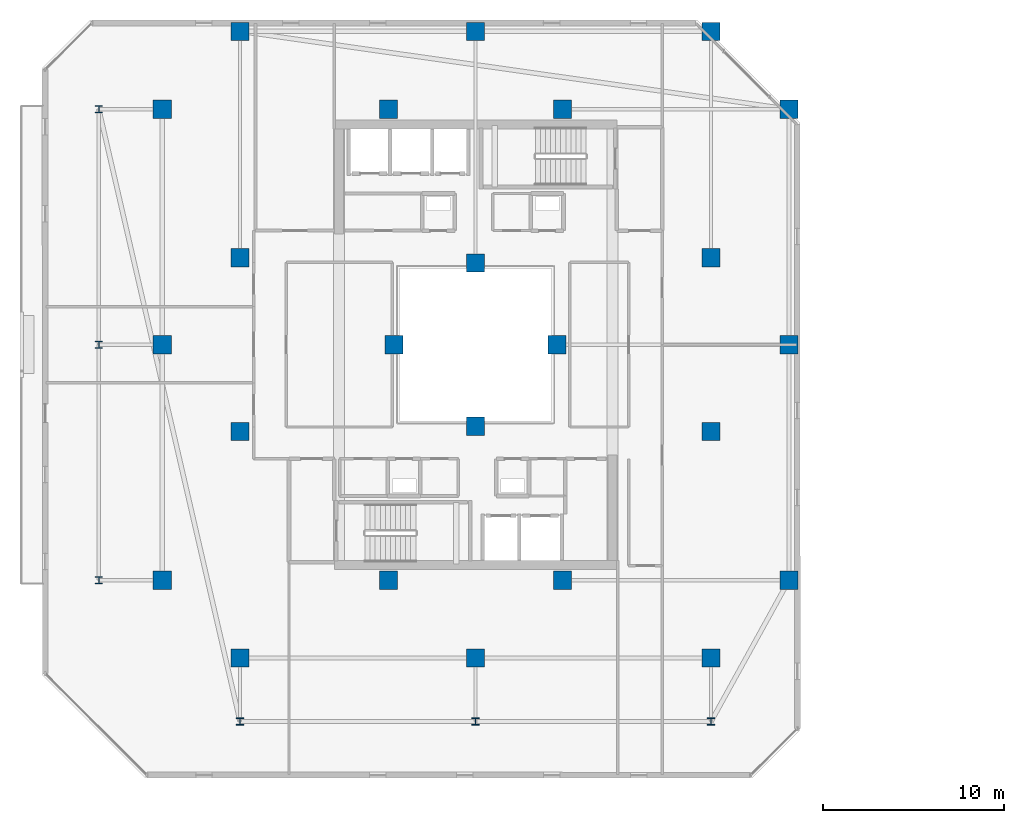
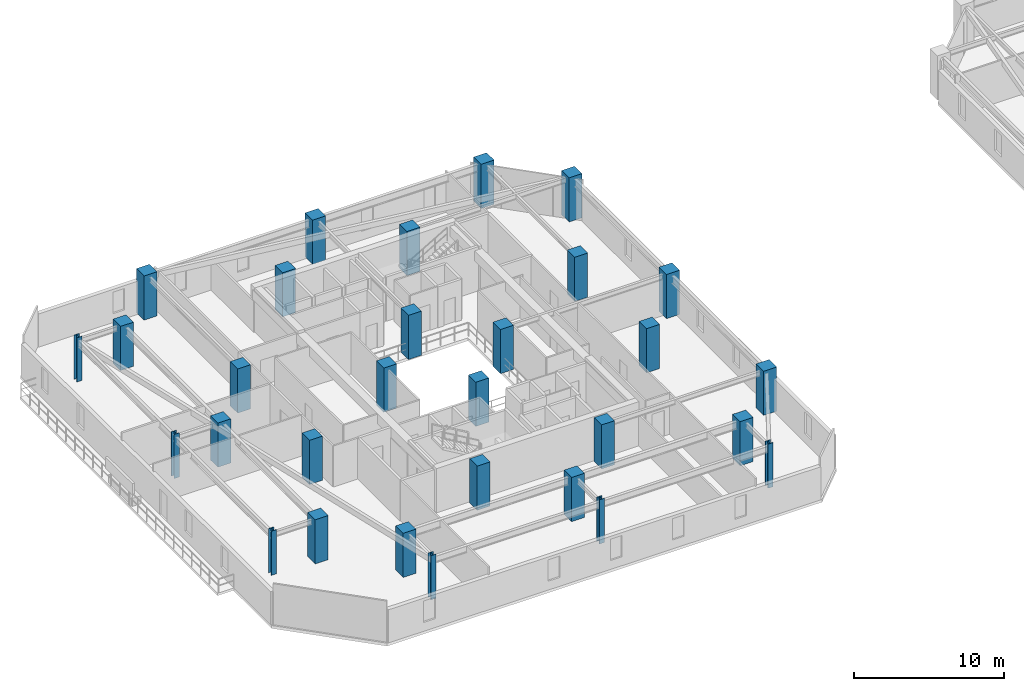
# One storey, part 1 of 31: 30 columns.
"""IFC4 building model written with IfcOpenShell, lengths in metres."""

from ifc_helpers import new_model, si_unit, direction, frame, origin, origin_2d, place, context, subcontext, project, spatial, rectangle, i_section, extrude, material, material_profile, profile_set, type_object, element, save


model = new_model("IFC4")

# Units and contexts
model_context = context("Model", 3, precision=1e-05, world=origin(), true_north=direction((0.0, 1.0)))
body_context = subcontext(model_context, "Body", "Model", "MODEL_VIEW")
ifc_project = project(units=[si_unit("LENGTHUNIT", "METRE"), si_unit("AREAUNIT", "SQUARE_METRE"), si_unit("VOLUMEUNIT", "CUBIC_METRE"), si_unit("PLANEANGLEUNIT", "RADIAN"), si_unit("MASSUNIT", "GRAM", prefix="KILO")], contexts=[model_context])

# Site, building, storey
site_placement = place(None, origin())
site = spatial("IfcSite", under=ifc_project, at=site_placement, CompositionType="ELEMENT")
building_placement = place(site_placement, origin())
building = spatial("IfcBuilding", under=site, at=building_placement, Name="Thornwick Lancets Civic Towers", CompositionType="ELEMENT")
storey_placement = place(building_placement, frame((0.0, 0.0, 236.699951171875)))
storey = spatial("IfcBuildingStorey", under=building, at=storey_placement, Name="L63", CompositionType="ELEMENT", Elevation=236.699951171875)

# Columns
ifc_material_1 = material(Name="Concrete C50/60", Category="concrete")
ifc_material_profile_1 = material_profile(ifc_material_1, rectangle(XDim=1.0, YDim=1.0, at=origin_2d()), Name="RC 1000x1000")
ifc_profile_set_1 = profile_set([ifc_material_profile_1], Name="Concrete C50/60")
column_type_1 = type_object("IfcColumnType", Name="COL_RC_1000", PredefinedType="COLUMN", material=ifc_profile_set_1)
for number, where, z_axis, x_axis, name in (
    (1, (12.5, 9.699951171875, 0.0), (0.0, 0.0, 1.0), (1.0, 0.0, 0.0), "L63 Spine Mega-Column A01"),
    (2, (25.5, 9.699951171875, 0.0), (0.0, 0.0, 1.0), (1.0, 0.0, 0.0), "L63 Spine Mega-Column A02"),
    (3, (38.5, 9.699951171875, 0.0), (0.0, 0.0, 1.0), (1.0, 0.0, 0.0), "L63 Spine Mega-Column A03"),
    (4, (42.800048828125, 14.0, 0.0), (0.0, 0.0, 1.0), (1.0, 0.0, 0.0), "L63 Spine Mega-Column A04"),
    (5, (42.800048828125, 27.0, 0.0), (0.0, 0.0, 1.0), (1.0, 0.0, 0.0), "L63 Spine Mega-Column A05"),
    (6, (42.800048828125, 40.0, 0.0), (0.0, 0.0, 1.0), (1.0, 0.0, 0.0), "L63 Spine Mega-Column A06"),
    (7, (12.5, 44.300048828125, 0.0), (0.0, 0.0, 1.0), (1.0, 0.0, 0.0), "L63 Spine Mega-Column A07"),
    (8, (25.5, 44.300048828125, 0.0), (0.0, 0.0, 1.0), (1.0, 0.0, 0.0), "L63 Spine Mega-Column A08"),
    (9, (38.5, 44.300048828125, 0.0), (0.0, 0.0, 1.0), (1.0, 0.0, 0.0), "L63 Spine Mega-Column A09"),
    (10, (8.199951171875, 14.0, 0.0), (0.0, 0.0, 1.0), (1.0, 0.0, 0.0), "L63 Spine Mega-Column A10"),
    (11, (8.199951171875, 27.0, 0.0), (0.0, 0.0, 1.0), (1.0, 0.0, 0.0), "L63 Spine Mega-Column A11"),
    (12, (8.199951171875, 40.0, 0.0), (0.0, 0.0, 1.0), (1.0, 0.0, 0.0), "L63 Spine Mega-Column A12"),
    (13, (12.5, 22.199951171875, 0.0), (0.0, 0.0, 1.0), (1.0, 0.0, 0.0), "L63 Spine Mega-Column A13"),
    (14, (38.5, 22.199951171875, 0.0), (0.0, 0.0, 1.0), (1.0, 0.0, 0.0), "L63 Spine Mega-Column A14"),
    (15, (12.5, 31.800048828125, 0.0), (0.0, 0.0, 1.0), (1.0, 0.0, 0.0), "L63 Spine Mega-Column A15"),
    (16, (38.5, 31.800048828125, 0.0), (0.0, 0.0, 1.0), (1.0, 0.0, 0.0), "L63 Spine Mega-Column A16"),
    (17, (20.699951171875, 14.0, 0.0), (0.0, 0.0, 1.0), (1.0, 0.0, 0.0), "L63 Spine Mega-Column A17"),
    (18, (30.300048828125, 14.0, 0.0), (0.0, 0.0, 1.0), (1.0, 0.0, 0.0), "L63 Spine Mega-Column A18"),
    (19, (20.699951171875, 40.0, 0.0), (0.0, 0.0, 1.0), (1.0, 0.0, 0.0), "L63 Spine Mega-Column A19"),
    (20, (30.300048828125, 40.0, 0.0), (0.0, 0.0, 1.0), (1.0, 0.0, 0.0), "L63 Spine Mega-Column A20"),
    (21, (25.5, 22.5, 0.0), (0.0, 0.0, 1.0), (1.0, 0.0, 0.0), "L63 Spine Mega-Column A21"),
    (22, (25.5, 31.5, 0.0), (0.0, 0.0, 1.0), (1.0, 0.0, 0.0), "L63 Spine Mega-Column A22"),
    (23, (21.0, 27.0, 0.0), (0.0, 0.0, 1.0), (1.0, 0.0, 0.0), "L63 Spine Mega-Column A23"),
    (24, (30.0, 27.0, 0.0), (0.0, 0.0, 1.0), (1.0, 0.0, 0.0), "L63 Spine Mega-Column A24"),
):
    element("IfcColumn", number, at=place(storey_placement, frame(where, z_axis=z_axis, x_axis=x_axis)), inside=storey, type_object=column_type_1, Name=name, PredefinedType="COLUMN", context=body_context, shape_type="SweptSolid", body=[
        extrude(rectangle(XDim=1.0, YDim=1.0, at=origin_2d()), origin(), (0.0, 0.0, 1.0), 3.60009765625),
    ])
ifc_material_2 = material(Name="Steel S355JR", Category="steel")
ifc_material_profile_2 = material_profile(ifc_material_2, i_section(OverallWidth=0.39892578125, OverallDepth=0.3935546875, WebThickness=0.022705078125, FlangeThickness=0.03662109375, FilletRadius=0.01513671875, at=origin_2d()), Name="UKC 356x406x287")
ifc_profile_set_2 = profile_set([ifc_material_profile_2], Name="Steel S355JR")
column_type_2 = type_object("IfcColumnType", Name="COL_UKC_287", PredefinedType="COLUMN", material=ifc_profile_set_2)
for number, where, z_axis, x_axis, name in (
    (25, (12.5, 6.199951171875, 0.0), (0.0, 0.0, 1.0), (1.0, 0.0, 0.0), "L63 Block Perimeter Column A01"),
    (26, (25.5, 6.199951171875, 0.0), (0.0, 0.0, 1.0), (1.0, 0.0, 0.0), "L63 Block Perimeter Column A02"),
    (27, (38.5, 6.199951171875, 0.0), (0.0, 0.0, 1.0), (1.0, 0.0, 0.0), "L63 Block Perimeter Column A03"),
    (28, (4.699951171875, 14.0, 0.0), (0.0, 0.0, 1.0), (1.0, 0.0, 0.0), "L63 Block Perimeter Column A10"),
    (29, (4.699951171875, 27.0, 0.0), (0.0, 0.0, 1.0), (1.0, 0.0, 0.0), "L63 Block Perimeter Column A11"),
    (30, (4.699951171875, 40.0, 0.0), (0.0, 0.0, 1.0), (1.0, 0.0, 0.0), "L63 Block Perimeter Column A12"),
):
    element("IfcColumn", number, at=place(storey_placement, frame(where, z_axis=z_axis, x_axis=x_axis)), inside=storey, type_object=column_type_2, Name=name, PredefinedType="COLUMN", context=body_context, shape_type="SweptSolid", body=[
        extrude(i_section(OverallWidth=0.39892578125, OverallDepth=0.3935546875, WebThickness=0.022705078125, FlangeThickness=0.03662109375, FilletRadius=0.01513671875, at=origin_2d()), origin(), (0.0, 0.0, 1.0), 3.60009765625),
    ])

save(model, "model.ifc")
